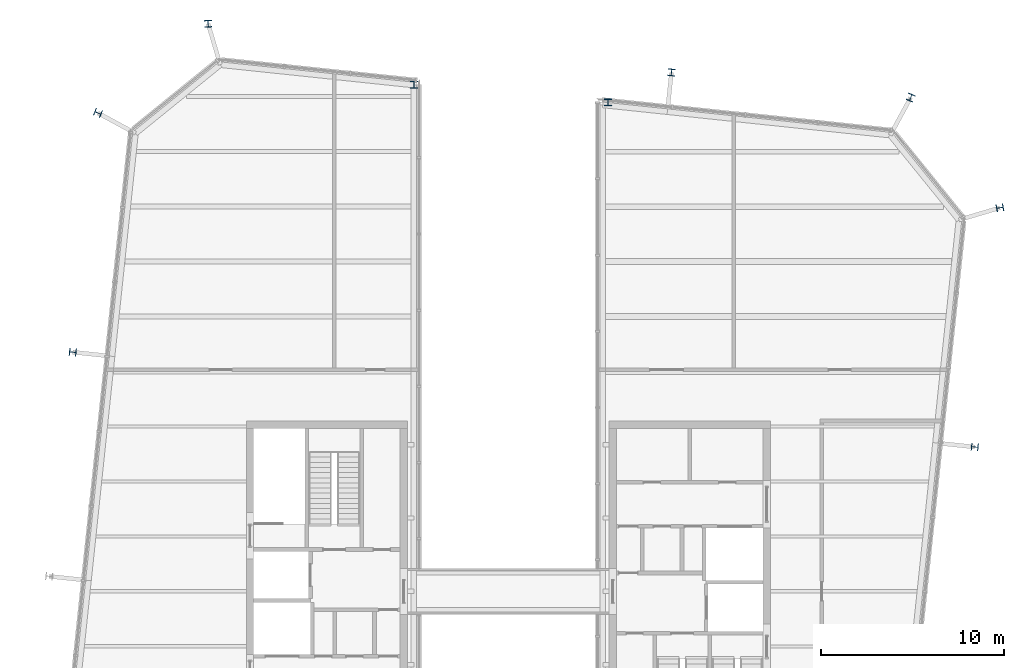
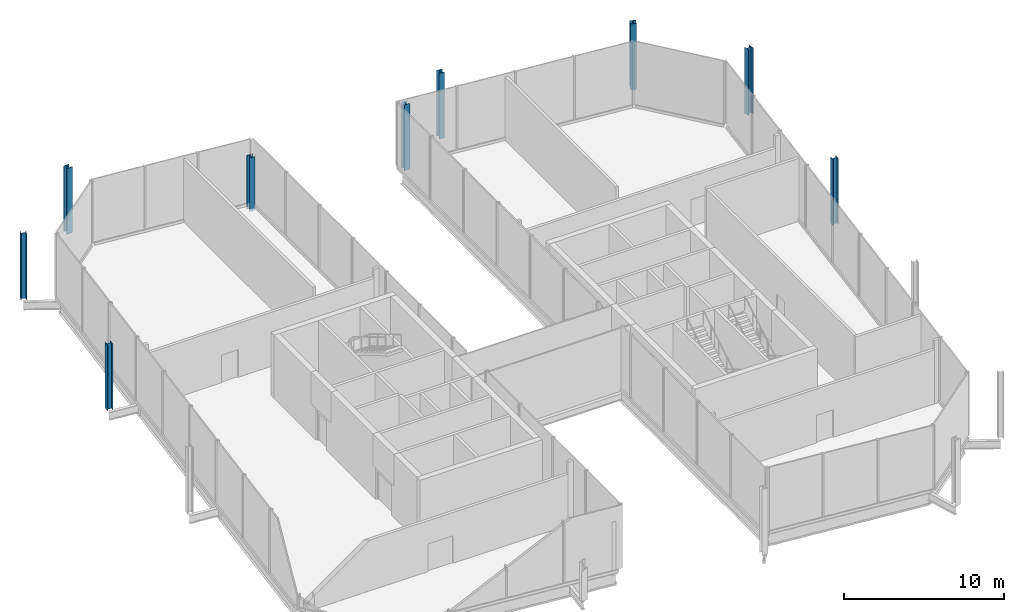
# One storey, part 2 of 12: 9 columns.
"""IFC4 building model written with IfcOpenShell, lengths in metres."""

from ifc_helpers import new_model, si_unit, direction, frame, origin, origin_2d, place, context, subcontext, project, spatial, i_section, extrude, material, material_profile, profile_set, type_object, element, save


model = new_model("IFC4")

# Units and contexts
model_context = context("Model", 3, precision=1e-05, world=origin(), true_north=direction((0.0, 1.0)))
body_context = subcontext(model_context, "Body", "Model", "MODEL_VIEW")
ifc_project = project(units=[si_unit("LENGTHUNIT", "METRE"), si_unit("AREAUNIT", "SQUARE_METRE"), si_unit("VOLUMEUNIT", "CUBIC_METRE"), si_unit("PLANEANGLEUNIT", "RADIAN"), si_unit("MASSUNIT", "GRAM", prefix="KILO")], contexts=[model_context])

# Site, building, storey
site_placement = place(None, origin())
site = spatial("IfcSite", under=ifc_project, at=site_placement, CompositionType="ELEMENT")
building_placement = place(site_placement, origin())
building = spatial("IfcBuilding", under=site, at=building_placement, Name="Millrace Tower", CompositionType="ELEMENT")
storey_placement = place(building_placement, frame((0.0, 0.0, 347.10009765625)))
storey = spatial("IfcBuildingStorey", under=building, at=storey_placement, Name="L80", CompositionType="ELEMENT", Elevation=347.10009765625)

# Columns
ifc_material_1 = material(Name="Steel ASTM A913 Grade 65", Category="steel")
ifc_material_profile_1 = material_profile(ifc_material_1, i_section(OverallWidth=0.396240234375, OverallDepth=0.381103515625, WebThickness=0.018798828125, FlangeThickness=0.0302734375, FilletRadius=0.01513671875, at=origin_2d()))
ifc_profile_set_1 = profile_set([ifc_material_profile_1], Name="Steel ASTM A913 Grade 65")
column_type_1 = type_object("IfcColumnType", Name="Crown corner post W14x159", PredefinedType="COLUMN", material=ifc_profile_set_1)
column_1_placement = place(storey_placement, frame((-5.1435546875, 27.64453125, -0.2001953125), z_axis=(0.0, 0.0, 1.0), x_axis=(1.0, 0.0, 0.0)))
element("IfcColumn", 1, at=column_1_placement, inside=storey, type_object=column_type_1, Name="COL-CROWN-L80-SW-P02", PredefinedType="COLUMN", context=body_context, shape_type="SweptSolid", body=[
    extrude(i_section(OverallWidth=0.396240234375, OverallDepth=0.381103515625, WebThickness=0.018798828125, FlangeThickness=0.0302734375, FilletRadius=0.01513671875, at=origin_2d()), origin(), (0.0, 0.0, 1.0), 4.072998046875),
])
column_2_placement = place(storey_placement, frame((5.43408203125, 26.6826171875, -0.2001953125), z_axis=(0.0, 0.0, 1.0), x_axis=(1.0, 0.0, 0.0)))
element("IfcColumn", 2, at=column_2_placement, inside=storey, type_object=column_type_1, Name="COL-CROWN-L80-SE-P01", PredefinedType="COLUMN", context=body_context, shape_type="SweptSolid", body=[
    extrude(i_section(OverallWidth=0.396240234375, OverallDepth=0.381103515625, WebThickness=0.018798828125, FlangeThickness=0.0302734375, FilletRadius=0.01513671875, at=origin_2d()), origin(), (0.0, 0.0, 1.0), 5.0),
])
ifc_material_2 = material(Name="Steel ASTM A913 Grade 65", Category="steel")
ifc_material_profile_2 = material_profile(ifc_material_2, i_section(OverallWidth=0.393798828125, OverallDepth=0.3759765625, WebThickness=0.017333984375, FlangeThickness=0.027587890625, FilletRadius=0.01513671875, at=origin_2d()))
ifc_profile_set_2 = profile_set([ifc_material_profile_2], Name="Steel ASTM A913 Grade 65")
column_type_2 = type_object("IfcColumnType", Name="Exoskeleton column W14x145", PredefinedType="COLUMN", material=ifc_profile_set_2)
for number, where, z_axis, x_axis, name in (
    (3, (25.457275390625, 7.879150390625, 0.0), (0.0, 0.0, 1.0), (0.104528445407, 0.994521897246, 0.0), "COL-E-L80-X08"),
    (4, (8.9033203125, 28.321533203125, 0.0), (0.0, 0.0, 1.0), (-0.994521897384, 0.104528444087, 0.0), "COL-E-L80-X11"),
    (5, (-23.771484375, 13.053466796875, 0.0), (0.0, 0.0, 1.0), (-0.104528445407, -0.994521897246, 0.0), "COL-E-L80-X15"),
):
    element("IfcColumn", number, at=place(storey_placement, frame(where, z_axis=z_axis, x_axis=x_axis)), inside=storey, type_object=column_type_2, Name=name, PredefinedType="COLUMN", context=body_context, shape_type="SweptSolid", body=[
        extrude(i_section(OverallWidth=0.393798828125, OverallDepth=0.3759765625, WebThickness=0.017333984375, FlangeThickness=0.027587890625, FilletRadius=0.01513671875, at=origin_2d()), origin(), (0.0, 0.0, 1.0), 5.0),
    ])
ifc_material_3 = material(Name="Steel ASTM A913 Grade 65", Category="steel")
ifc_material_profile_3 = material_profile(ifc_material_3, i_section(OverallWidth=0.396240234375, OverallDepth=0.381103515625, WebThickness=0.018798828125, FlangeThickness=0.0302734375, FilletRadius=0.01513671875, at=origin_2d()))
ifc_profile_set_3 = profile_set([ifc_material_profile_3], Name="Steel ASTM A913 Grade 65")
column_type_3 = type_object("IfcColumnType", Name="Exoskeleton column W14x159", PredefinedType="COLUMN", material=ifc_profile_set_3)
for number, where, z_axis, x_axis, name in (
    (6, (26.82958984375, 20.935791015625, 0.0), (0.0, 0.0, 1.0), (-0.18038747256, 0.983595628164, 0.0), "COL-E-L80-X09"),
    (7, (21.9599609375, 26.94921875, 0.0), (0.0, 0.0, 1.0), (-0.92459700658, 0.380946683176, 0.0), "COL-E-L80-X10"),
    (8, (-16.3857421875, 30.9794921875, 0.0), (0.0, 0.0, 1.0), (-0.997513288558, -0.070478643226, 0.0), "COL-E-L80-X13"),
    (9, (-22.399169921875, 26.10986328125, 0.0), (0.0, 0.0, 1.0), (-0.380946683176, -0.92459700658, 0.0), "COL-E-L80-X14"),
):
    element("IfcColumn", number, at=place(storey_placement, frame(where, z_axis=z_axis, x_axis=x_axis)), inside=storey, type_object=column_type_3, Name=name, PredefinedType="COLUMN", context=body_context, shape_type="SweptSolid", body=[
        extrude(i_section(OverallWidth=0.396240234375, OverallDepth=0.381103515625, WebThickness=0.018798828125, FlangeThickness=0.0302734375, FilletRadius=0.01513671875, at=origin_2d()), origin(), (0.0, 0.0, 1.0), 5.0),
    ])

save(model, "model.ifc")
